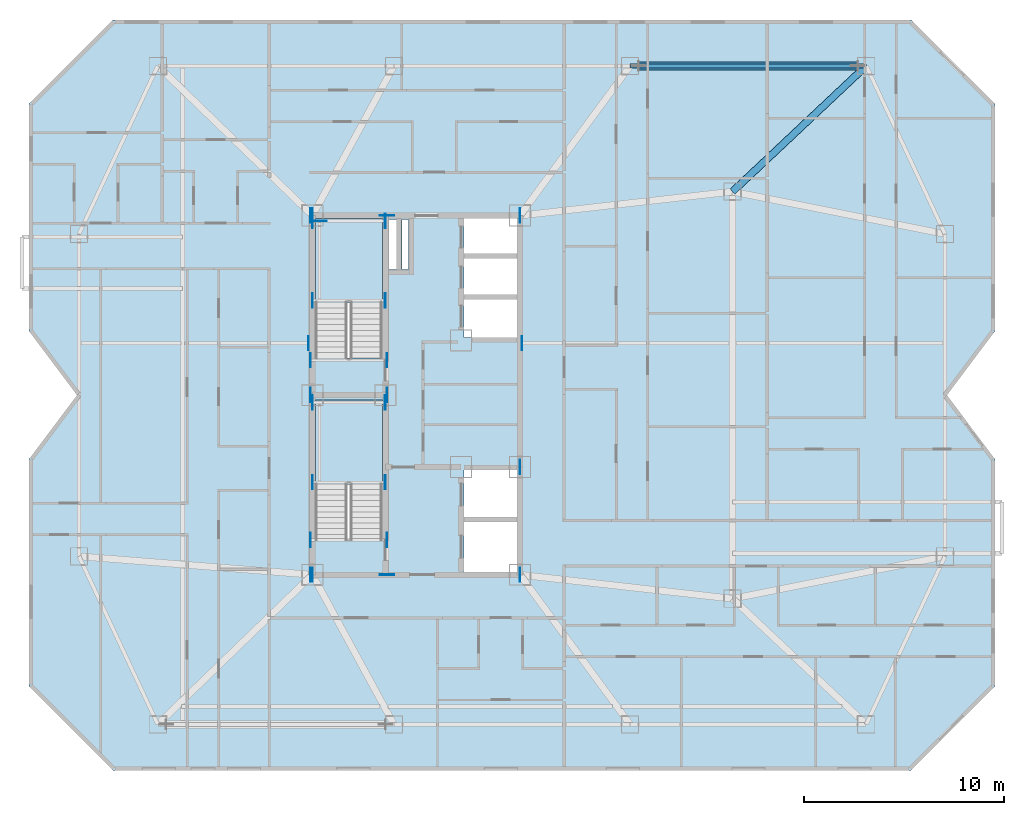
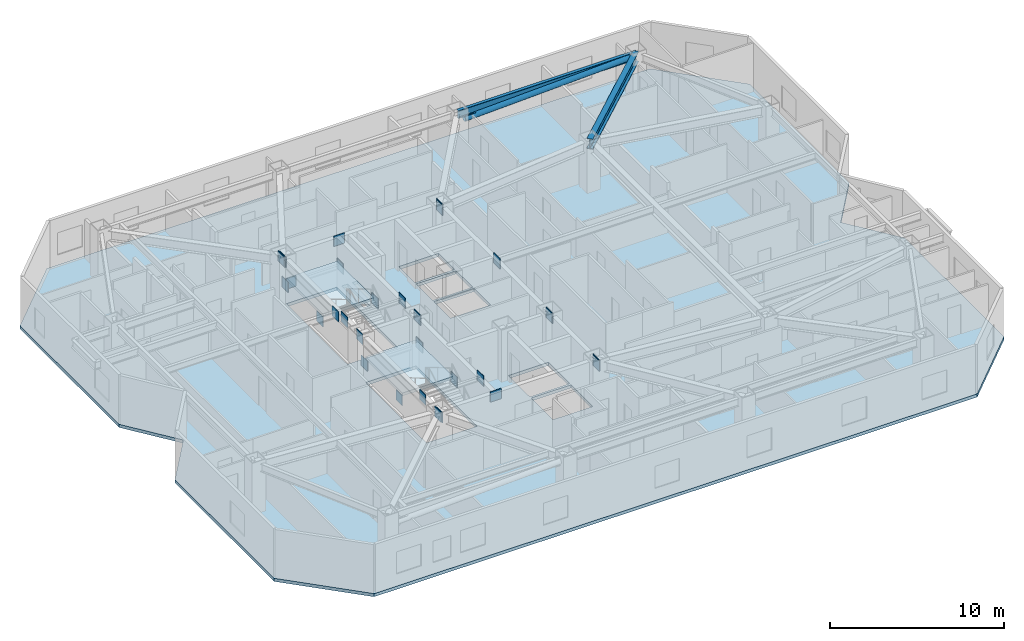
# One storey, part 2 of 12: 28 plates, 3 slabs, 2 beams, 1 member, 2 elements without a shape of their own.
"""IFC4 building model written with IfcOpenShell, lengths in metres."""

import ifcopenshell
import ifcopenshell.guid

model = None  # the IFC model being written
_history = None  # IfcOwnerHistory: only IFC2X3 demands one
_inside = {}  # id of a spatial element -> (the spatial element, [elements in it])
_under = {}  # id of a project, library or spatial element -> (it, [spatial elements below it])
_declared = {}  # id of a project -> (the project, [libraries it declares])
_typed = {}  # id of a type object -> (the type object, [elements of that type])
_made_of = {}  # id of a material, layer set ... -> (it, [elements and type objects made of it])


def new_model(schema):
    """Start an empty IFC model of exactly this schema.

    Asked for "IFC4X3", IfcOpenShell would pick the latest addendum, in which some entities
    have other attributes; the version numbers below select the first issue.
    IFC2X3 requires an IfcOwnerHistory on every rooted entity: one is made here for all.
    """
    global model, _history
    if schema == "IFC4X3":
        model = ifcopenshell.file(schema_version=(4, 3, 0, 0))
    else:
        model = ifcopenshell.file(schema=schema)
    _inside.clear()
    _under.clear()
    _declared.clear()
    _typed.clear()
    _made_of.clear()
    _history = None
    if model.schema == "IFC2X3":
        org = make("IfcOrganization", Name="unknown")
        user = make(
            "IfcPersonAndOrganization",
            ThePerson=make("IfcPerson", FamilyName="unknown"),
            TheOrganization=org,
        )
        app = make(
            "IfcApplication",
            ApplicationDeveloper=org,
            Version="unknown",
            ApplicationFullName="unknown",
            ApplicationIdentifier="unknown",
        )
        _history = make(
            "IfcOwnerHistory",
            OwningUser=user,
            OwningApplication=app,
            ChangeAction="ADDED",
            CreationDate=0,
        )
    return model


def make(cls, **values):
    """One entity of the class cls with the attributes given. An attribute that is None is left unset."""
    return model.create_entity(
        cls, **{name: value for name, value in values.items() if value is not None}
    )


def rooted(cls, **values):
    """An entity with a GlobalId (a new one), such as an element, a storey or a relation."""
    return make(cls, GlobalId=ifcopenshell.guid.new(), OwnerHistory=_history, **values)


def si_unit(unit_type, name, prefix=None):
    """IfcSIUnit, for example si_unit("LENGTHUNIT", "METRE", prefix="MILLI")."""
    return make("IfcSIUnit", UnitType=unit_type, Prefix=prefix, Name=name)


def assignment(units):
    """IfcUnitAssignment: the units of a project."""
    return None if units is None else make("IfcUnitAssignment", Units=units)


def point(xyz):
    """IfcCartesianPoint."""
    return None if xyz is None else make("IfcCartesianPoint", Coordinates=xyz)


def direction(xyz):
    """IfcDirection."""
    return None if xyz is None else make("IfcDirection", DirectionRatios=xyz)


def frame(location, z_axis=None, x_axis=None):
    """IfcAxis2Placement3D, a coordinate frame: its origin and axes. An axis left out is left unset."""
    return make(
        "IfcAxis2Placement3D",
        Location=point(location),
        Axis=direction(z_axis),
        RefDirection=direction(x_axis),
    )


def frame_2d(location, x_axis=None):
    """IfcAxis2Placement2D, a coordinate frame in the plane: its origin and x axis."""
    return make(
        "IfcAxis2Placement2D", Location=point(location), RefDirection=direction(x_axis)
    )


def origin():
    """The frame at (0, 0, 0) with its axes left unset."""
    return frame((0.0, 0.0, 0.0))


def origin_2d():
    """The frame at (0, 0) in the plane with its x axis left unset."""
    return frame_2d((0.0, 0.0))


def place(relative_to, where):
    """IfcLocalPlacement: puts the frame where relative to a parent placement (None: the world)."""
    return make(
        "IfcLocalPlacement", PlacementRelTo=relative_to, RelativePlacement=where
    )


def context(
    kind, dimensions, precision=None, world=None, true_north=None, identifier=None
):
    """IfcGeometricRepresentationContext, for example the 3D "Model" context."""
    return make(
        "IfcGeometricRepresentationContext",
        ContextIdentifier=identifier,
        ContextType=kind,
        CoordinateSpaceDimension=dimensions,
        Precision=precision,
        WorldCoordinateSystem=world,
        TrueNorth=true_north,
    )


def subcontext(parent, identifier, kind, view, scale=None):
    """IfcGeometricRepresentationSubContext, for example "Body" below "Model"."""
    return make(
        "IfcGeometricRepresentationSubContext",
        ContextIdentifier=identifier,
        ContextType=kind,
        ParentContext=parent,
        TargetScale=scale,
        TargetView=view,
    )


def project(units=None, contexts=None):
    """IfcProject with its units and contexts."""
    return rooted(
        "IfcProject",
        Name="project",
        RepresentationContexts=contexts,
        UnitsInContext=assignment(units),
    )


def spatial(cls, under=None, at=None, **own):
    """A site, building, storey or space (cls), placed at a placement, below another one or the project."""
    s = rooted(cls, ObjectPlacement=at, **own)
    if under is not None:
        _under.setdefault(under.id(), (under, []))[1].append(s)
    return s


def polyline(points):
    """IfcPolyline through the points."""
    return make("IfcPolyline", Points=[point(p) for p in points])


def profile(cls, at=None, kind="AREA", **sizes):
    """A parametric profile (cls). Its sizes go by their IFC names, for example OverallWidth=200.0."""
    return make(cls, ProfileType=kind, Position=at, **sizes)


def rectangle(**sizes):
    """IfcRectangleProfileDef."""
    return profile("IfcRectangleProfileDef", **sizes)


def hollow_circle(**sizes):
    """IfcCircleHollowProfileDef."""
    return profile("IfcCircleHollowProfileDef", **sizes)


def i_section(**sizes):
    """IfcIShapeProfileDef."""
    return profile("IfcIShapeProfileDef", **sizes)


def outline(outer, holes=None, kind="AREA"):
    """IfcArbitraryClosedProfileDef: a profile drawn as a closed curve; with holes, ...WithVoids."""
    if holes is None:
        return make("IfcArbitraryClosedProfileDef", ProfileType=kind, OuterCurve=outer)
    return make(
        "IfcArbitraryProfileDefWithVoids",
        ProfileType=kind,
        OuterCurve=outer,
        InnerCurves=holes,
    )


def extrude(swept, where, along, depth):
    """IfcExtrudedAreaSolid: the profile swept, set in the frame where, extruded along a direction by depth."""
    return make(
        "IfcExtrudedAreaSolid",
        SweptArea=swept,
        Position=where,
        ExtrudedDirection=direction(along),
        Depth=depth,
    )


def shape(context_of_items, identifier, shape_type, items):
    """IfcShapeRepresentation: the items that make up one representation, for example the "Body"."""
    return make(
        "IfcShapeRepresentation",
        ContextOfItems=context_of_items,
        RepresentationIdentifier=identifier,
        RepresentationType=shape_type,
        Items=items,
    )


def material(Name=None, Category=None):
    """IfcMaterial."""
    return make("IfcMaterial", Name=Name, Category=Category)


def layer(
    of_material, thickness, ventilated=None, Name=None, Category=None, Priority=None
):
    """IfcMaterialLayer: one layer of a wall or slab, of a material (None: an air gap)."""
    return make(
        "IfcMaterialLayer",
        Material=of_material,
        LayerThickness=thickness,
        IsVentilated=ventilated,
        Name=Name,
        Category=Category,
        Priority=Priority,
    )


def layer_set(layers, Name=None):
    """IfcMaterialLayerSet."""
    return make("IfcMaterialLayerSet", MaterialLayers=layers, LayerSetName=Name)


def material_profile(
    of_material, cross_section, Name=None, Category=None, Priority=None
):
    """IfcMaterialProfile: a cross section and its material."""
    return make(
        "IfcMaterialProfile",
        Name=Name,
        Material=of_material,
        Profile=cross_section,
        Priority=Priority,
        Category=Category,
    )


def profile_set(profiles, Name=None, composite=None):
    """IfcMaterialProfileSet."""
    return make(
        "IfcMaterialProfileSet",
        Name=Name,
        MaterialProfiles=profiles,
        CompositeProfile=composite,
    )


def made_of(thing, what):
    """Note that an element or type object is made of a material, layer set ...; save() writes the relation."""
    if what is not None:
        _made_of.setdefault(what.id(), (what, []))[1].append(thing)
    return thing


def type_object(cls, material=None, **own):
    """A type object (cls), such as IfcWallType, which elements share."""
    return made_of(rooted(cls, **own), material)


def element(
    cls,
    number,
    at=None,
    inside=None,
    cuts=None,
    type_object=None,
    material=None,
    context=None,
    identifier="Body",
    shape_type=None,
    held_by="IfcProductDefinitionShape",
    body=None,
    shapes=None,
    **own,
):
    """One element of the class cls, such as IfcWall. Its Tag is "e" and its number.

    at: its placement. inside: the storey or other place that contains it. cuts: it is an
    opening in that element (IfcRelVoidsElement). A single representation is given by context,
    identifier, shape_type and body (its items); several are given by shapes. held_by: the class
    of the entity that holds the representations. save() writes the other relations.
    """
    e = rooted(cls, Tag="e%d" % number, ObjectPlacement=at, **own)
    if body is not None:
        shapes = [shape(context, identifier, shape_type, body)]
    if shapes is not None:
        e.Representation = make(held_by, Representations=shapes)
    if inside is not None:
        _inside.setdefault(inside.id(), (inside, []))[1].append(e)
    if cuts is not None:
        rooted(
            "IfcRelVoidsElement", RelatingBuildingElement=cuts, RelatedOpeningElement=e
        )
    if type_object is not None:
        _typed.setdefault(type_object.id(), (type_object, []))[1].append(e)
    return made_of(e, material)


def aggregate(whole, parts):
    """IfcRelAggregates: a whole, such as a stair, and the parts it consists of."""
    return rooted("IfcRelAggregates", RelatingObject=whole, RelatedObjects=parts)


def save(model, path):
    """Write the relations noted so far, then the file.

    IfcRelAggregates (storeys below a building ...), IfcRelContainedInSpatialStructure (elements
    in a storey), IfcRelDefinesByType, IfcRelAssociatesMaterial and IfcRelDeclares: one each for
    every whole, place, type object, material and project.
    """
    for whole, parts in _under.values():
        aggregate(whole, parts)
    for where, things in _inside.values():
        rooted(
            "IfcRelContainedInSpatialStructure",
            RelatedElements=things,
            RelatingStructure=where,
        )
    for kind, things in _typed.values():
        rooted("IfcRelDefinesByType", RelatedObjects=things, RelatingType=kind)
    for what, things in _made_of.values():
        rooted("IfcRelAssociatesMaterial", RelatedObjects=things, RelatingMaterial=what)
    for by, libraries in _declared.values():
        rooted("IfcRelDeclares", RelatingContext=by, RelatedDefinitions=libraries)
    model.write(path)


model = new_model("IFC4")

# Units and contexts
model_context = context("Model", 3, precision=1e-05, world=origin(), true_north=direction((0.0, 1.0)))
body_context = subcontext(model_context, "Body", "Model", "MODEL_VIEW")
ifc_project = project(units=[si_unit("LENGTHUNIT", "METRE"), si_unit("AREAUNIT", "SQUARE_METRE"), si_unit("VOLUMEUNIT", "CUBIC_METRE"), si_unit("PLANEANGLEUNIT", "RADIAN"), si_unit("MASSUNIT", "GRAM", prefix="KILO")], contexts=[model_context])

# Site, building, storey
site_placement = place(None, origin())
site = spatial("IfcSite", under=ifc_project, at=site_placement, CompositionType="ELEMENT")
building_placement = place(site_placement, origin())
building = spatial("IfcBuilding", under=site, at=building_placement, Name="Khamvora Tower", CompositionType="ELEMENT")
storey_placement = place(building_placement, frame((0.0, 0.0, 188.75)))
storey = spatial("IfcBuildingStorey", under=building, at=storey_placement, Name="L48", CompositionType="ELEMENT", Elevation=188.75)

# Beams
ifc_material_1 = material(Name="Steel S355", Category="steel")
ifc_material_profile_1 = material_profile(ifc_material_1, i_section(OverallWidth=0.35498046875, OverallDepth=0.695068359375, WebThickness=0.014892578125, FlangeThickness=0.02490234375, FilletRadius=0.01611328125, at=origin_2d()), Name="W690x217")
ifc_profile_set_1 = profile_set([ifc_material_profile_1], Name="Steel S355")
beam_type_1 = type_object("IfcBeamType", Name="BM-PG-W690x217", PredefinedType="BEAM", material=ifc_profile_set_1)
beam_1_placement = place(storey_placement, frame((50.050048828125, 38.199951171875, 3.0830078125), z_axis=(0.728513992294, 0.685030921224, 0.0), x_axis=(-0.685030921224, 0.728513992294, 0.0)))
element("IfcBeam", 1, at=beam_1_placement, inside=storey, type_object=beam_type_1, Name="L48 primary floor girder N4", PredefinedType="BEAM", context=body_context, shape_type="SweptSolid", body=[
    extrude(i_section(OverallWidth=0.35498046875, OverallDepth=0.695068359375, WebThickness=0.014892578125, FlangeThickness=0.02490234375, FilletRadius=0.01611328125, at=origin_2d()), origin(), (0.0, 0.0, 1.0), 9.19677734375),
])
ifc_material_profile_2 = material_profile(ifc_material_1, i_section(OverallWidth=0.2119140625, OverallDepth=0.5439453125, WebThickness=0.012939453125, FlangeThickness=0.02099609375, FilletRadius=0.013916015625, at=origin_2d()), Name="W530x123")
ifc_profile_set_2 = profile_set([ifc_material_profile_2], Name="Steel S355")
beam_type_2 = type_object("IfcBeamType", Name="BM-SP-W530x123", PredefinedType="SPANDREL", material=ifc_profile_set_2)
beam_2_placement = place(storey_placement, frame((56.75, 44.5, 3.157958984375), z_axis=(-1.0, 0.0, 0.0), x_axis=(0.0, -1.0, 0.0)))
element("IfcBeam", 2, at=beam_2_placement, inside=storey, type_object=beam_type_2, Name="L48 perimeter spandrel beam N4-N3", PredefinedType="SPANDREL", context=body_context, shape_type="SweptSolid", body=[
    extrude(i_section(OverallWidth=0.2119140625, OverallDepth=0.5439453125, WebThickness=0.012939453125, FlangeThickness=0.02099609375, FilletRadius=0.013916015625, at=origin_2d()), origin(), (0.0, 0.0, 1.0), 11.8330078125),
])

# Member
ifc_material_profile_3 = material_profile(ifc_material_1, hollow_circle(Radius=0.202880859375, WallThickness=0.01611328125, at=origin_2d()), Name="CHS406x16")
ifc_profile_set_3 = profile_set([ifc_material_profile_3], Name="Steel S355")
member_type = type_object("IfcMemberType", Name="MEM-BR-CHS406", PredefinedType="BRACE", material=ifc_profile_set_3)
member_placement = place(storey_placement, frame((45.346923828125, 44.5, 2.697998046875), z_axis=(0.999174860809, 0.0, 0.040615237634), x_axis=(0.0, 1.0, 0.0)))
element("IfcMember", 3, at=member_placement, inside=storey, type_object=member_type, Name="L48 perimeter wind brace 2", PredefinedType="BRACE", context=body_context, shape_type="SweptSolid", body=[
    extrude(hollow_circle(Radius=0.202880859375, WallThickness=0.01611328125, at=origin_2d()), origin(), (0.0, 0.0, 1.0), 10.982177734375),
])

# Plates
ifc_material_2 = material(Name="Steel S460", Category="steel")
ifc_layer_1 = layer(ifc_material_2, 0.034912109375)
ifc_layer_set_1 = layer_set([ifc_layer_1], Name="Steel S460")
plate_type = type_object("IfcPlateType", Name="PL-EMB-35", PredefinedType="SHEET", material=ifc_layer_set_1)
for number, where, z_axis, x_axis, name in (
    (4, (29.0, 23.635009765625, 1.1337890625), (0.0, 0.0, 1.0), (1.0, 0.0, 0.0), "L48 core shear wall cast-in embed plate 1394"),
    (5, (32.64990234375, 23.635009765625, 1.1337890625), (0.0, 0.0, 1.0), (1.0, 0.0, 0.0), "L48 core shear wall cast-in embed plate 1395"),
    (6, (29.0, 27.6298828125, 1.1337890625), (0.0, 0.0, 1.0), (1.0, 0.0, 0.0), "L48 core shear wall cast-in embed plate 1396"),
    (7, (32.64990234375, 27.6298828125, 1.1337890625), (0.0, 0.0, 1.0), (1.0, 0.0, 0.0), "L48 core shear wall cast-in embed plate 1397"),
    (8, (29.0, 32.735107421875, 1.1337890625), (0.0, 0.0, 1.0), (1.0, 0.0, 0.0), "L48 core shear wall cast-in embed plate 1398"),
    (9, (32.64990234375, 32.735107421875, 1.1337890625), (0.0, 0.0, 1.0), (1.0, 0.0, 0.0), "L48 core shear wall cast-in embed plate 1399"),
    (10, (29.0, 36.72998046875, 1.1337890625), (0.0, 0.0, 1.0), (1.0, 0.0, 0.0), "L48 core shear wall cast-in embed plate 1400"),
    (11, (32.64990234375, 36.72998046875, 1.1337890625), (0.0, 0.0, 1.0), (1.0, 0.0, 0.0), "L48 core shear wall cast-in embed plate 1401"),
):
    element("IfcPlate", number, at=place(storey_placement, frame(where, z_axis=z_axis, x_axis=x_axis)), inside=storey, type_object=plate_type, Name=name, PredefinedType="SHEET", context=body_context, shape_type="SweptSolid", body=[
        extrude(rectangle(XDim=0.034912109375, YDim=0.719970703125, at=origin_2d()), origin(), (0.0, 0.0, 1.0), 0.719970703125),
    ])
plate_1_placement = place(storey_placement, frame((29.35009765625, 36.72998046875, 1.1337890625), z_axis=(0.0, 0.0, 1.0), x_axis=(1.0, 0.0, 0.0)))
element("IfcPlate", 12, at=plate_1_placement, inside=storey, type_object=plate_type, Name="L48 core shear wall cast-in embed plate 1402", PredefinedType="SHEET", context=body_context, shape_type="SweptSolid", body=[
    extrude(rectangle(XDim=0.719970703125, YDim=0.034912109375, at=origin_2d()), origin(), (0.0, 0.0, 1.0), 0.719970703125),
])
for number, where, z_axis, x_axis, name in (
    (13, (29.0, 19.0, 2.72314453125), (0.0, 0.0, 1.0), (1.0, 0.0, 0.0), "L48 core shear wall cast-in embed plate 1403"),
    (14, (39.39990234375, 19.0, 2.72314453125), (0.0, 0.0, 1.0), (1.0, 0.0, 0.0), "L48 core shear wall cast-in embed plate 1404"),
    (15, (29.0, 37.0, 2.72314453125), (0.0, 0.0, 1.0), (1.0, 0.0, 0.0), "L48 core shear wall cast-in embed plate 1405"),
    (16, (39.39990234375, 37.0, 2.72314453125), (0.0, 0.0, 1.0), (1.0, 0.0, 0.0), "L48 core shear wall cast-in embed plate 1406"),
    (17, (28.89990234375, 19.0, 2.80322265625), (0.0, 0.0, 1.0), (1.0, 0.0, 0.0), "L48 core shear wall cast-in embed plate 1407"),
    (18, (28.89990234375, 28.0, 2.80322265625), (0.0, 0.0, 1.0), (1.0, 0.0, 0.0), "L48 core shear wall cast-in embed plate 1408"),
    (19, (28.89990234375, 37.0, 2.80322265625), (0.0, 0.0, 1.0), (1.0, 0.0, 0.0), "L48 core shear wall cast-in embed plate 1409"),
):
    element("IfcPlate", number, at=place(storey_placement, frame(where, z_axis=z_axis, x_axis=x_axis)), inside=storey, type_object=plate_type, Name=name, PredefinedType="SHEET", context=body_context, shape_type="SweptSolid", body=[
        extrude(rectangle(XDim=0.034912109375, YDim=0.719970703125, at=origin_2d()), origin(), (0.0, 0.0, 1.0), 0.719970703125),
    ])
plate_2_placement = place(storey_placement, frame((32.72998046875, 19.0, 2.80322265625), z_axis=(0.0, 0.0, 1.0), x_axis=(1.0, 0.0, 0.0)))
element("IfcPlate", 20, at=plate_2_placement, inside=storey, type_object=plate_type, Name="L48 core shear wall cast-in embed plate 1410", PredefinedType="SHEET", context=body_context, shape_type="SweptSolid", body=[
    extrude(rectangle(XDim=0.719970703125, YDim=0.034912109375, at=origin_2d()), origin(), (0.0, 0.0, 1.0), 0.719970703125),
])
plate_3_placement = place(storey_placement, frame((32.72998046875, 28.0, 2.80322265625), z_axis=(0.0, 0.0, 1.0), x_axis=(1.0, 0.0, 0.0)))
element("IfcPlate", 21, at=plate_3_placement, inside=storey, type_object=plate_type, Name="L48 core shear wall cast-in embed plate 1411", PredefinedType="SHEET", context=body_context, shape_type="SweptSolid", body=[
    extrude(rectangle(XDim=0.034912109375, YDim=0.719970703125, at=origin_2d()), origin(), (0.0, 0.0, 1.0), 0.719970703125),
])
plate_4_placement = place(storey_placement, frame((32.72998046875, 37.0, 2.80322265625), z_axis=(0.0, 0.0, 1.0), x_axis=(1.0, 0.0, 0.0)))
element("IfcPlate", 22, at=plate_4_placement, inside=storey, type_object=plate_type, Name="L48 core shear wall cast-in embed plate 1412", PredefinedType="SHEET", context=body_context, shape_type="SweptSolid", body=[
    extrude(rectangle(XDim=0.719970703125, YDim=0.034912109375, at=origin_2d()), origin(), (0.0, 0.0, 1.0), 0.719970703125),
])
for number, where, z_axis, x_axis, name in (
    (23, (39.39990234375, 19.0, 2.80322265625), (0.0, 0.0, 1.0), (1.0, 0.0, 0.0), "L48 core shear wall cast-in embed plate 1413"),
    (24, (39.39990234375, 24.39990234375, 2.80322265625), (0.0, 0.0, 1.0), (1.0, 0.0, 0.0), "L48 core shear wall cast-in embed plate 1414"),
    (25, (39.39990234375, 37.0, 2.80322265625), (0.0, 0.0, 1.0), (1.0, 0.0, 0.0), "L48 core shear wall cast-in embed plate 1415"),
    (26, (28.89990234375, 20.75, 2.94384765625), (0.0, 0.0, 1.0), (1.0, 0.0, 0.0), "L48 core shear wall cast-in embed plate 1416"),
    (27, (32.72998046875, 20.75, 2.94384765625), (0.0, 0.0, 1.0), (1.0, 0.0, 0.0), "L48 core shear wall cast-in embed plate 1417"),
    (28, (28.89990234375, 29.75, 2.94384765625), (0.0, 0.0, 1.0), (1.0, 0.0, 0.0), "L48 core shear wall cast-in embed plate 1418"),
    (29, (32.72998046875, 29.75, 2.94384765625), (0.0, 0.0, 1.0), (1.0, 0.0, 0.0), "L48 core shear wall cast-in embed plate 1419"),
    (30, (28.800048828125, 30.60009765625, 2.837890625), (0.0, 0.0, 1.0), (1.0, 0.0, 0.0), "L48 core shear wall cast-in embed plate 1420"),
    (31, (39.4990234375, 30.60009765625, 2.837890625), (0.0, 0.0, 1.0), (1.0, 0.0, 0.0), "L48 core shear wall cast-in embed plate 1421"),
):
    element("IfcPlate", number, at=place(storey_placement, frame(where, z_axis=z_axis, x_axis=x_axis)), inside=storey, type_object=plate_type, Name=name, PredefinedType="SHEET", context=body_context, shape_type="SweptSolid", body=[
        extrude(rectangle(XDim=0.034912109375, YDim=0.719970703125, at=origin_2d()), origin(), (0.0, 0.0, 1.0), 0.719970703125),
    ])

# Stair, slab
ifc_material_3 = material(Name="Concrete C40/50", Category="concrete")
stair_type_1 = type_object("IfcStairType", Name="STR-ST-01", PredefinedType="HALF_TURN_STAIR", material=ifc_material_3)
stair_1_placement = place(storey_placement, origin())
stair_1 = element("IfcStair", 32, at=stair_1_placement, inside=storey, type_object=stair_type_1, Name="L48 South Tower Exit Stair ST-01", PredefinedType="HALF_TURN_STAIR")
ifc_layer_2 = layer(ifc_material_3, 0.199951171875)
ifc_layer_set_2 = layer_set([ifc_layer_2], Name="Concrete C40/50")
slab_type_1 = type_object("IfcSlabType", Name="SLB-LND-200", PredefinedType="LANDING", material=ifc_layer_set_2)
slab_1_placement = place(storey_placement, frame((0.0, 0.0, 1.625)))
slab_1 = element("IfcSlab", 33, at=slab_1_placement, type_object=slab_type_1, Name="ST-01 landing 1", PredefinedType="LANDING", context=body_context, shape_type="SweptSolid", body=[
    extrude(outline(polyline([(32.5, 23.514892578125), (32.5, 27.75), (29.14990234375, 27.75), (29.14990234375, 23.514892578125), (32.5, 23.514892578125)])), origin(), (0.0, 0.0, 1.0), 0.199951171875),
])
aggregate(stair_1, [slab_1])

stair_type_2 = type_object("IfcStairType", Name="STR-ST-02", PredefinedType="HALF_TURN_STAIR", material=ifc_material_3)
stair_2_placement = place(storey_placement, origin())
stair_2 = element("IfcStair", 34, at=stair_2_placement, inside=storey, type_object=stair_type_2, Name="L48 North Tower Exit Stair ST-02", PredefinedType="HALF_TURN_STAIR")
slab_2_placement = place(storey_placement, frame((0.0, 0.0, 1.625)))
slab_2 = element("IfcSlab", 35, at=slab_2_placement, type_object=slab_type_1, Name="ST-02 landing 1", PredefinedType="LANDING", context=body_context, shape_type="SweptSolid", body=[
    extrude(outline(polyline([(32.5, 32.614990234375), (32.5, 36.85009765625), (29.14990234375, 36.85009765625), (29.14990234375, 32.614990234375), (32.5, 32.614990234375)])), origin(), (0.0, 0.0, 1.0), 0.199951171875),
])
aggregate(stair_2, [slab_2])

# Slab
ifc_material_4 = material(Name="Concrete C35/45", Category="concrete")
ifc_layer_3 = layer(ifc_material_4, 0.219970703125)
ifc_layer_set_3 = layer_set([ifc_layer_3], Name="Concrete C35/45")
slab_type_2 = type_object("IfcSlabType", Name="SLB-TYP-220", PredefinedType="FLOOR", material=ifc_layer_set_3)
slab_3_placement = place(storey_placement, frame((0.0, 0.0, -0.219970703125)))
element("IfcSlab", 36, at=slab_3_placement, inside=storey, type_object=slab_type_2, Name="L48 structural floor slab", PredefinedType="FLOOR", context=body_context, shape_type="SweptSolid", body=[
    extrude(outline(polyline([(19.0, 9.199951171875), (59.0, 9.199951171875), (63.199951171875, 13.39990234375), (63.199951171875, 24.800048828125), (60.800048828125, 28.0), (63.199951171875, 31.199951171875), (63.199951171875, 42.60009765625), (59.0, 46.800048828125), (19.0, 46.800048828125), (14.800048828125, 42.60009765625), (14.800048828125, 31.199951171875), (17.199951171875, 28.0), (14.800048828125, 24.800048828125), (14.800048828125, 13.39990234375), (19.0, 9.199951171875)]), holes=[polyline([(32.5, 20.760009765625), (32.5, 27.75), (29.14990234375, 27.75), (29.14990234375, 20.760009765625), (32.5, 20.760009765625)]), polyline([(32.5, 29.860107421875), (32.5, 36.85009765625), (29.14990234375, 36.85009765625), (29.14990234375, 29.860107421875), (32.5, 29.860107421875)]), polyline([(36.60009765625, 19.14990234375), (39.25, 19.14990234375), (39.25, 21.64990234375), (36.60009765625, 21.64990234375), (36.60009765625, 19.14990234375)]), polyline([(36.60009765625, 21.800048828125), (39.25, 21.800048828125), (39.25, 24.25), (36.60009765625, 24.25), (36.60009765625, 21.800048828125)]), polyline([(36.60009765625, 30.89990234375), (39.25, 30.89990234375), (39.25, 32.800048828125), (36.60009765625, 32.800048828125), (36.60009765625, 30.89990234375)]), polyline([(36.60009765625, 32.949951171875), (39.25, 32.949951171875), (39.25, 34.85009765625), (36.60009765625, 34.85009765625), (36.60009765625, 32.949951171875)]), polyline([(36.60009765625, 35.0), (39.25, 35.0), (39.25, 36.85009765625), (36.60009765625, 36.85009765625), (36.60009765625, 35.0)]), polyline([(32.800048828125, 34.300048828125), (33.199951171875, 34.300048828125), (33.199951171875, 36.800048828125), (32.800048828125, 36.800048828125), (32.800048828125, 34.300048828125)]), polyline([(33.47998046875, 34.300048828125), (33.820068359375, 34.300048828125), (33.820068359375, 36.800048828125), (33.47998046875, 36.800048828125), (33.47998046875, 34.300048828125)])]), origin(), (0.0, 0.0, 1.0), 0.219970703125),
])

save(model, "model.ifc")
